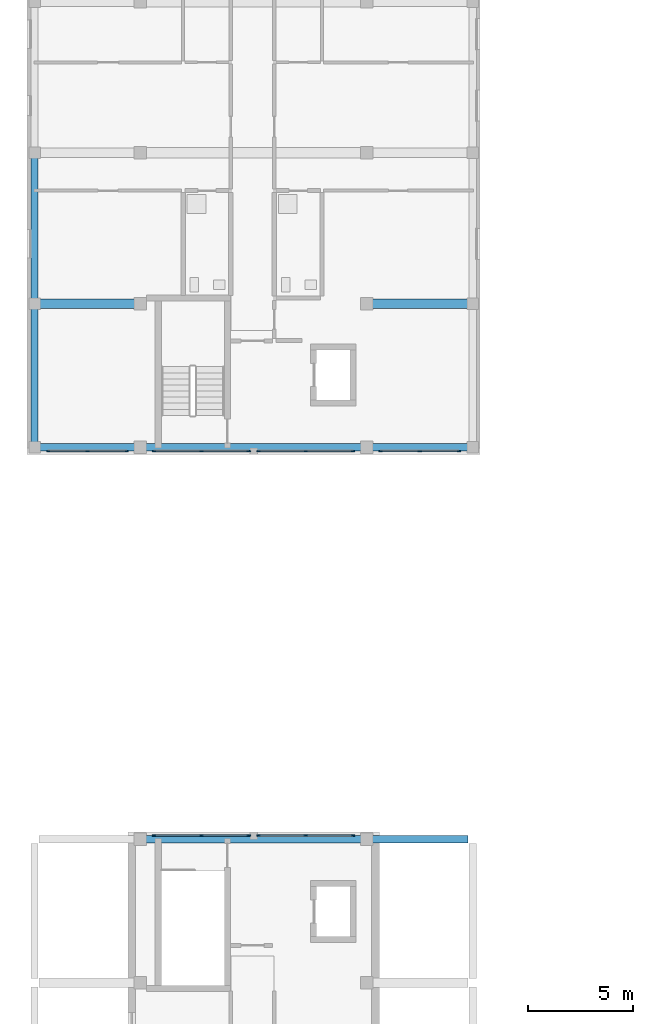
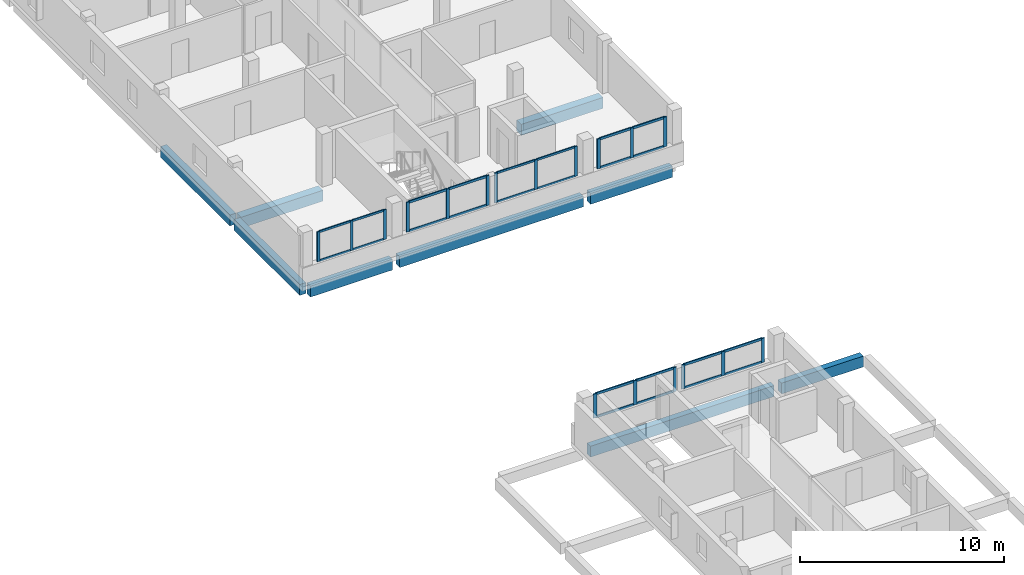
# One storey, part 4 of 34: 42 members, 9 beams, 6 elements without a shape of their own.
"""IFC4 building model written with IfcOpenShell, lengths in metres."""

from ifc_helpers import new_model, si_unit, derived_unit, direction, frame, origin, origin_2d, place, context, subcontext, project, spatial, rectangle, extrude, material, layer, layer_set, material_profile, profile_set, type_object, element, aggregate, save


model = new_model("IFC4")

# Units and contexts
model_context = context("Model", 3, precision=1e-05, world=origin(), true_north=direction((0.0, 1.0)))
body_context = subcontext(model_context, "Body", "Model", "MODEL_VIEW")
ifc_project = project(units=[si_unit("LENGTHUNIT", "METRE"), si_unit("AREAUNIT", "SQUARE_METRE"), si_unit("VOLUMEUNIT", "CUBIC_METRE"), si_unit("PLANEANGLEUNIT", "RADIAN"), si_unit("MASSUNIT", "GRAM", prefix="KILO"), derived_unit("THERMALTRANSMITTANCEUNIT", [(si_unit("MASSUNIT", "GRAM", prefix="KILO"), 1), (si_unit("TIMEUNIT", "SECOND"), -3), (si_unit("THERMODYNAMICTEMPERATUREUNIT", "KELVIN"), -1)])], contexts=[model_context])

# Site, building, storey
site_placement = place(None, origin())
site = spatial("IfcSite", under=ifc_project, at=site_placement, CompositionType="ELEMENT")
building_placement = place(site_placement, origin())
building = spatial("IfcBuilding", under=site, at=building_placement, Name="Ochrekiln Boulevard Commons", CompositionType="ELEMENT")
storey_placement = place(building_placement, frame((0.0, 0.0, 27.824951171875)))
storey = spatial("IfcBuildingStorey", under=building, at=storey_placement, Name="L08", CompositionType="ELEMENT", Elevation=27.824951171875)

# Beams
ifc_material_1 = material(Name="Concrete C35/45", Category="concrete")
ifc_material_profile_1 = material_profile(ifc_material_1, rectangle(XDim=0.449951171875, YDim=0.64990234375, at=origin_2d()), Name="RC-BM-450x650")
ifc_profile_set_1 = profile_set([ifc_material_profile_1], Name="Concrete C35/45")
beam_type_1 = type_object("IfcBeamType", Name="BM-RC-450x650", PredefinedType="BEAM", material=ifc_profile_set_1)
beam_1_placement = place(storey_placement, frame((0.56005859375, 75.60009765625, -0.574951171875), z_axis=(1.0, 0.0, 0.0), x_axis=(0.0, 1.0, 0.0)))
element("IfcBeam", 1, at=beam_1_placement, inside=storey, type_object=beam_type_1, Name="Block A L08 Beam B-4565 X4", PredefinedType="BEAM", context=body_context, shape_type="SweptSolid", body=[
    extrude(rectangle(XDim=0.449951171875, YDim=0.64990234375, at=origin_2d()), origin(), (0.0, 0.0, 1.0), 4.6298828125),
])
beam_2_placement = place(storey_placement, frame((16.409912109375, 75.60009765625, -0.574951171875), z_axis=(1.0, 0.0, 0.0), x_axis=(0.0, 1.0, 0.0)))
element("IfcBeam", 2, at=beam_2_placement, inside=storey, type_object=beam_type_1, Name="Block A L08 Beam B-4565 X5", PredefinedType="BEAM", context=body_context, shape_type="SweptSolid", body=[
    extrude(rectangle(XDim=0.449951171875, YDim=0.64990234375, at=origin_2d()), origin(), (0.0, 0.0, 1.0), 4.630126953125),
])

# Curtain wall, members
ifc_material_2 = material(Name="Bronze-anodized extruded aluminium 6063-T6", Category="aluminium")
ifc_layer = layer(ifc_material_2, 0.172119140625)
ifc_layer_set = layer_set([ifc_layer], Name="Bronze-anodized extruded aluminium 6063-T6")
curtain_wall_type = type_object("IfcCurtainWallType", Name="CW-GABLE-A", PredefinedType="USERDEFINED", material=ifc_layer_set)
curtain_wall_1_placement = place(storey_placement, origin())
curtain_wall_1 = element("IfcCurtainWall", 3, at=curtain_wall_1_placement, inside=storey, type_object=curtain_wall_type, Name="Block A L08 Courtyard Glazed Gable Curtain Wall 1", ObjectType="GLAZED CURTAIN WALL", PredefinedType="USERDEFINED")
ifc_material_profile_2 = material_profile(ifc_material_2, rectangle(XDim=0.06005859375, YDim=0.159912109375, at=origin_2d()), Name="ALU-MUL-60x160")
ifc_profile_set_2 = profile_set([ifc_material_profile_2], Name="Bronze-anodized extruded aluminium 6063-T6")
member_type_1 = type_object("IfcMemberType", Name="CWM-60x160", PredefinedType="MULLION", material=ifc_profile_set_2)
member_1_placement = place(storey_placement, frame((1.0, 68.56005859375, 1.110107421875), z_axis=(0.0, 0.0, 1.0), x_axis=(0.0, 1.0, 0.0)))
member_1 = element("IfcMember", 4, at=member_1_placement, type_object=member_type_1, Name="CW-01 mullion 1", PredefinedType="MULLION", context=body_context, shape_type="SweptSolid", body=[
    extrude(rectangle(XDim=0.06005859375, YDim=0.159912109375, at=origin_2d()), origin(), (0.0, 0.0, 1.0), 1.780029296875),
])
member_2_placement = place(storey_placement, frame((2.875, 68.56005859375, 1.110107421875), z_axis=(0.0, 0.0, 1.0), x_axis=(0.0, 1.0, 0.0)))
member_2 = element("IfcMember", 5, at=member_2_placement, type_object=member_type_1, Name="CW-01 mullion 2", PredefinedType="MULLION", context=body_context, shape_type="SweptSolid", body=[
    extrude(rectangle(XDim=0.06005859375, YDim=0.159912109375, at=origin_2d()), origin(), (0.0, 0.0, 1.0), 1.780029296875),
])
member_3_placement = place(storey_placement, frame((4.75, 68.56005859375, 1.110107421875), z_axis=(0.0, 0.0, 1.0), x_axis=(0.0, 1.0, 0.0)))
member_3 = element("IfcMember", 6, at=member_3_placement, type_object=member_type_1, Name="CW-01 mullion 3", PredefinedType="MULLION", context=body_context, shape_type="SweptSolid", body=[
    extrude(rectangle(XDim=0.06005859375, YDim=0.159912109375, at=origin_2d()), origin(), (0.0, 0.0, 1.0), 1.780029296875),
])

curtain_wall_2_placement = place(storey_placement, origin())
curtain_wall_2 = element("IfcCurtainWall", 7, at=curtain_wall_2_placement, inside=storey, type_object=curtain_wall_type, Name="Block A L08 Courtyard Glazed Gable Curtain Wall 3", ObjectType="GLAZED CURTAIN WALL", PredefinedType="USERDEFINED")
member_4_placement = place(storey_placement, frame((11.030029296875, 68.56005859375, 1.110107421875), z_axis=(0.0, 0.0, 1.0), x_axis=(0.0, 1.0, 0.0)))
member_4 = element("IfcMember", 8, at=member_4_placement, type_object=member_type_1, Name="CW-01 mullion 1", PredefinedType="MULLION", context=body_context, shape_type="SweptSolid", body=[
    extrude(rectangle(XDim=0.06005859375, YDim=0.159912109375, at=origin_2d()), origin(), (0.0, 0.0, 1.0), 1.780029296875),
])
member_5_placement = place(storey_placement, frame((13.2900390625, 68.56005859375, 1.110107421875), z_axis=(0.0, 0.0, 1.0), x_axis=(0.0, 1.0, 0.0)))
member_5 = element("IfcMember", 9, at=member_5_placement, type_object=member_type_1, Name="CW-01 mullion 2", PredefinedType="MULLION", context=body_context, shape_type="SweptSolid", body=[
    extrude(rectangle(XDim=0.06005859375, YDim=0.159912109375, at=origin_2d()), origin(), (0.0, 0.0, 1.0), 1.780029296875),
])
member_6_placement = place(storey_placement, frame((15.550048828125, 68.56005859375, 1.110107421875), z_axis=(0.0, 0.0, 1.0), x_axis=(0.0, 1.0, 0.0)))
member_6 = element("IfcMember", 10, at=member_6_placement, type_object=member_type_1, Name="CW-01 mullion 3", PredefinedType="MULLION", context=body_context, shape_type="SweptSolid", body=[
    extrude(rectangle(XDim=0.06005859375, YDim=0.159912109375, at=origin_2d()), origin(), (0.0, 0.0, 1.0), 1.780029296875),
])

curtain_wall_3_placement = place(storey_placement, origin())
curtain_wall_3 = element("IfcCurtainWall", 11, at=curtain_wall_3_placement, inside=storey, type_object=curtain_wall_type, Name="Block A L08 Courtyard Glazed Gable Curtain Wall 2", ObjectType="GLAZED CURTAIN WALL", PredefinedType="USERDEFINED")
ifc_material_profile_3 = material_profile(ifc_material_2, rectangle(XDim=0.06494140625, YDim=0.179931640625, at=origin_2d()), Name="ALU-MUL-65x180")
ifc_profile_set_3 = profile_set([ifc_material_profile_3], Name="Bronze-anodized extruded aluminium 6063-T6")
member_type_2 = type_object("IfcMemberType", Name="CWM-65x180", PredefinedType="MULLION", material=ifc_profile_set_3)
member_7_placement = place(storey_placement, frame((6.052490234375, 68.56005859375, 1.110107421875), z_axis=(0.0, 0.0, 1.0), x_axis=(0.0, 1.0, 0.0)))
member_7 = element("IfcMember", 12, at=member_7_placement, type_object=member_type_2, Name="CW-01 mullion 1", PredefinedType="MULLION", context=body_context, shape_type="SweptSolid", body=[
    extrude(rectangle(XDim=0.06494140625, YDim=0.179931640625, at=origin_2d()), origin(), (0.0, 0.0, 1.0), 1.780029296875),
])
member_8_placement = place(storey_placement, frame((8.31005859375, 68.56005859375, 1.110107421875), z_axis=(0.0, 0.0, 1.0), x_axis=(0.0, 1.0, 0.0)))
member_8 = element("IfcMember", 13, at=member_8_placement, type_object=member_type_2, Name="CW-01 mullion 2", PredefinedType="MULLION", context=body_context, shape_type="SweptSolid", body=[
    extrude(rectangle(XDim=0.06494140625, YDim=0.179931640625, at=origin_2d()), origin(), (0.0, 0.0, 1.0), 1.780029296875),
])
member_9_placement = place(storey_placement, frame((10.5673828125, 68.56005859375, 1.110107421875), z_axis=(0.0, 0.0, 1.0), x_axis=(0.0, 1.0, 0.0)))
member_9 = element("IfcMember", 14, at=member_9_placement, type_object=member_type_2, Name="CW-01 mullion 3", PredefinedType="MULLION", context=body_context, shape_type="SweptSolid", body=[
    extrude(rectangle(XDim=0.06494140625, YDim=0.179931640625, at=origin_2d()), origin(), (0.0, 0.0, 1.0), 1.780029296875),
])

curtain_wall_4_placement = place(storey_placement, origin())
curtain_wall_4 = element("IfcCurtainWall", 15, at=curtain_wall_4_placement, inside=storey, type_object=curtain_wall_type, Name="Block A L08 Courtyard Glazed Gable Curtain Wall 4", ObjectType="GLAZED CURTAIN WALL", PredefinedType="USERDEFINED")
member_10_placement = place(storey_placement, frame((16.8525390625, 68.56005859375, 1.110107421875), z_axis=(0.0, 0.0, 1.0), x_axis=(0.0, 1.0, 0.0)))
member_10 = element("IfcMember", 16, at=member_10_placement, type_object=member_type_2, Name="CW-01 mullion 1", PredefinedType="MULLION", context=body_context, shape_type="SweptSolid", body=[
    extrude(rectangle(XDim=0.06494140625, YDim=0.179931640625, at=origin_2d()), origin(), (0.0, 0.0, 1.0), 1.780029296875),
])
member_11_placement = place(storey_placement, frame((18.72509765625, 68.56005859375, 1.110107421875), z_axis=(0.0, 0.0, 1.0), x_axis=(0.0, 1.0, 0.0)))
member_11 = element("IfcMember", 17, at=member_11_placement, type_object=member_type_2, Name="CW-01 mullion 2", PredefinedType="MULLION", context=body_context, shape_type="SweptSolid", body=[
    extrude(rectangle(XDim=0.06494140625, YDim=0.179931640625, at=origin_2d()), origin(), (0.0, 0.0, 1.0), 1.780029296875),
])
member_12_placement = place(storey_placement, frame((20.597412109375, 68.56005859375, 1.110107421875), z_axis=(0.0, 0.0, 1.0), x_axis=(0.0, 1.0, 0.0)))
member_12 = element("IfcMember", 18, at=member_12_placement, type_object=member_type_2, Name="CW-01 mullion 3", PredefinedType="MULLION", context=body_context, shape_type="SweptSolid", body=[
    extrude(rectangle(XDim=0.06494140625, YDim=0.179931640625, at=origin_2d()), origin(), (0.0, 0.0, 1.0), 1.780029296875),
])

curtain_wall_5_placement = place(storey_placement, origin())
curtain_wall_5 = element("IfcCurtainWall", 19, at=curtain_wall_5_placement, inside=storey, type_object=curtain_wall_type, Name="Block D L08 Courtyard Glazed Gable Curtain Wall 1", ObjectType="GLAZED CURTAIN WALL", PredefinedType="USERDEFINED")
member_13_placement = place(storey_placement, frame((6.052490234375, 50.217529296875, 1.110107421875), z_axis=(0.0, 0.0, 1.0), x_axis=(0.0, 1.0, 0.0)))
member_13 = element("IfcMember", 20, at=member_13_placement, type_object=member_type_2, Name="CW-01 mullion 1", PredefinedType="MULLION", context=body_context, shape_type="SweptSolid", body=[
    extrude(rectangle(XDim=0.06494140625, YDim=0.179931640625, at=origin_2d()), origin(), (0.0, 0.0, 1.0), 1.43994140625),
])
member_14_placement = place(storey_placement, frame((8.31005859375, 50.217529296875, 1.110107421875), z_axis=(0.0, 0.0, 1.0), x_axis=(0.0, 1.0, 0.0)))
member_14 = element("IfcMember", 21, at=member_14_placement, type_object=member_type_2, Name="CW-01 mullion 2", PredefinedType="MULLION", context=body_context, shape_type="SweptSolid", body=[
    extrude(rectangle(XDim=0.06494140625, YDim=0.179931640625, at=origin_2d()), origin(), (0.0, 0.0, 1.0), 1.43994140625),
])
member_15_placement = place(storey_placement, frame((10.5673828125, 50.217529296875, 1.110107421875), z_axis=(0.0, 0.0, 1.0), x_axis=(0.0, 1.0, 0.0)))
member_15 = element("IfcMember", 22, at=member_15_placement, type_object=member_type_2, Name="CW-01 mullion 3", PredefinedType="MULLION", context=body_context, shape_type="SweptSolid", body=[
    extrude(rectangle(XDim=0.06494140625, YDim=0.179931640625, at=origin_2d()), origin(), (0.0, 0.0, 1.0), 1.43994140625),
])

curtain_wall_6_placement = place(storey_placement, origin())
curtain_wall_6 = element("IfcCurtainWall", 23, at=curtain_wall_6_placement, inside=storey, type_object=curtain_wall_type, Name="Block D L08 Courtyard Glazed Gable Curtain Wall 2", ObjectType="GLAZED CURTAIN WALL", PredefinedType="USERDEFINED")
member_16_placement = place(storey_placement, frame((11.032470703125, 50.217529296875, 1.110107421875), z_axis=(0.0, 0.0, 1.0), x_axis=(0.0, 1.0, 0.0)))
member_16 = element("IfcMember", 24, at=member_16_placement, type_object=member_type_2, Name="CW-01 mullion 1", PredefinedType="MULLION", context=body_context, shape_type="SweptSolid", body=[
    extrude(rectangle(XDim=0.06494140625, YDim=0.179931640625, at=origin_2d()), origin(), (0.0, 0.0, 1.0), 1.43994140625),
])
member_17_placement = place(storey_placement, frame((13.2900390625, 50.217529296875, 1.110107421875), z_axis=(0.0, 0.0, 1.0), x_axis=(0.0, 1.0, 0.0)))
member_17 = element("IfcMember", 25, at=member_17_placement, type_object=member_type_2, Name="CW-01 mullion 2", PredefinedType="MULLION", context=body_context, shape_type="SweptSolid", body=[
    extrude(rectangle(XDim=0.06494140625, YDim=0.179931640625, at=origin_2d()), origin(), (0.0, 0.0, 1.0), 1.43994140625),
])
member_18_placement = place(storey_placement, frame((15.547607421875, 50.217529296875, 1.110107421875), z_axis=(0.0, 0.0, 1.0), x_axis=(0.0, 1.0, 0.0)))
member_18 = element("IfcMember", 26, at=member_18_placement, type_object=member_type_2, Name="CW-01 mullion 3", PredefinedType="MULLION", context=body_context, shape_type="SweptSolid", body=[
    extrude(rectangle(XDim=0.06494140625, YDim=0.179931640625, at=origin_2d()), origin(), (0.0, 0.0, 1.0), 1.43994140625),
])

# Member
ifc_material_profile_4 = material_profile(ifc_material_2, rectangle(XDim=0.06005859375, YDim=0.1201171875, at=origin_2d()), Name="ALU-TRN-60x120")
ifc_profile_set_4 = profile_set([ifc_material_profile_4], Name="Bronze-anodized extruded aluminium 6063-T6")
member_type_3 = type_object("IfcMemberType", Name="CWT-60x120", PredefinedType="USERDEFINED", material=ifc_profile_set_4)
member_19_placement = place(storey_placement, frame((1.030029296875, 68.56005859375, 1.14013671875), z_axis=(1.0, 0.0, 0.0), x_axis=(0.0, 1.0, 0.0)))
member_19 = element("IfcMember", 27, at=member_19_placement, type_object=member_type_3, Name="CW-01 transom 1.1", ObjectType="TRANSOM", PredefinedType="USERDEFINED", context=body_context, shape_type="SweptSolid", body=[
    extrude(rectangle(XDim=0.06005859375, YDim=0.1201171875, at=origin_2d()), origin(), (0.0, 0.0, 1.0), 1.81494140625),
])

member_20_placement = place(storey_placement, frame((1.030029296875, 68.56005859375, 2.860107421875), z_axis=(1.0, 0.0, 0.0), x_axis=(0.0, 1.0, 0.0)))
member_20 = element("IfcMember", 28, at=member_20_placement, type_object=member_type_3, Name="CW-01 transom 1.2", ObjectType="TRANSOM", PredefinedType="USERDEFINED", context=body_context, shape_type="SweptSolid", body=[
    extrude(rectangle(XDim=0.06005859375, YDim=0.1201171875, at=origin_2d()), origin(), (0.0, 0.0, 1.0), 1.81494140625),
])

member_21_placement = place(storey_placement, frame((2.905029296875, 68.56005859375, 1.14013671875), z_axis=(1.0, 0.0, 0.0), x_axis=(0.0, 1.0, 0.0)))
member_21 = element("IfcMember", 29, at=member_21_placement, type_object=member_type_3, Name="CW-01 transom 2.1", ObjectType="TRANSOM", PredefinedType="USERDEFINED", context=body_context, shape_type="SweptSolid", body=[
    extrude(rectangle(XDim=0.06005859375, YDim=0.1201171875, at=origin_2d()), origin(), (0.0, 0.0, 1.0), 1.81494140625),
])

member_22_placement = place(storey_placement, frame((2.905029296875, 68.56005859375, 2.860107421875), z_axis=(1.0, 0.0, 0.0), x_axis=(0.0, 1.0, 0.0)))
member_22 = element("IfcMember", 30, at=member_22_placement, type_object=member_type_3, Name="CW-01 transom 2.2", ObjectType="TRANSOM", PredefinedType="USERDEFINED", context=body_context, shape_type="SweptSolid", body=[
    extrude(rectangle(XDim=0.06005859375, YDim=0.1201171875, at=origin_2d()), origin(), (0.0, 0.0, 1.0), 1.81494140625),
])

aggregate(curtain_wall_1, [member_1, member_2, member_3, member_19, member_20, member_21, member_22])

member_23_placement = place(storey_placement, frame((11.06005859375, 68.56005859375, 1.14013671875), z_axis=(1.0, 0.0, 0.0), x_axis=(0.0, 1.0, 0.0)))
member_23 = element("IfcMember", 31, at=member_23_placement, type_object=member_type_3, Name="CW-01 transom 1.1", ObjectType="TRANSOM", PredefinedType="USERDEFINED", context=body_context, shape_type="SweptSolid", body=[
    extrude(rectangle(XDim=0.06005859375, YDim=0.1201171875, at=origin_2d()), origin(), (0.0, 0.0, 1.0), 2.199951171875),
])

member_24_placement = place(storey_placement, frame((11.06005859375, 68.56005859375, 2.860107421875), z_axis=(1.0, 0.0, 0.0), x_axis=(0.0, 1.0, 0.0)))
member_24 = element("IfcMember", 32, at=member_24_placement, type_object=member_type_3, Name="CW-01 transom 1.2", ObjectType="TRANSOM", PredefinedType="USERDEFINED", context=body_context, shape_type="SweptSolid", body=[
    extrude(rectangle(XDim=0.06005859375, YDim=0.1201171875, at=origin_2d()), origin(), (0.0, 0.0, 1.0), 2.199951171875),
])

member_25_placement = place(storey_placement, frame((13.320068359375, 68.56005859375, 1.14013671875), z_axis=(1.0, 0.0, 0.0), x_axis=(0.0, 1.0, 0.0)))
member_25 = element("IfcMember", 33, at=member_25_placement, type_object=member_type_3, Name="CW-01 transom 2.1", ObjectType="TRANSOM", PredefinedType="USERDEFINED", context=body_context, shape_type="SweptSolid", body=[
    extrude(rectangle(XDim=0.06005859375, YDim=0.1201171875, at=origin_2d()), origin(), (0.0, 0.0, 1.0), 2.199951171875),
])

member_26_placement = place(storey_placement, frame((13.320068359375, 68.56005859375, 2.860107421875), z_axis=(1.0, 0.0, 0.0), x_axis=(0.0, 1.0, 0.0)))
member_26 = element("IfcMember", 34, at=member_26_placement, type_object=member_type_3, Name="CW-01 transom 2.2", ObjectType="TRANSOM", PredefinedType="USERDEFINED", context=body_context, shape_type="SweptSolid", body=[
    extrude(rectangle(XDim=0.06005859375, YDim=0.1201171875, at=origin_2d()), origin(), (0.0, 0.0, 1.0), 2.199951171875),
])

aggregate(curtain_wall_2, [member_4, member_5, member_6, member_23, member_24, member_25, member_26])

ifc_material_profile_5 = material_profile(ifc_material_2, rectangle(XDim=0.06494140625, YDim=0.139892578125, at=origin_2d()), Name="ALU-TRN-65x140")
ifc_profile_set_5 = profile_set([ifc_material_profile_5], Name="Bronze-anodized extruded aluminium 6063-T6")
member_type_4 = type_object("IfcMemberType", Name="CWT-65x140", PredefinedType="USERDEFINED", material=ifc_profile_set_5)
member_27_placement = place(storey_placement, frame((6.0849609375, 68.56005859375, 1.142578125), z_axis=(1.0, 0.0, 0.0), x_axis=(0.0, 1.0, 0.0)))
member_27 = element("IfcMember", 35, at=member_27_placement, type_object=member_type_4, Name="CW-01 transom 1.1", ObjectType="TRANSOM", PredefinedType="USERDEFINED", context=body_context, shape_type="SweptSolid", body=[
    extrude(rectangle(XDim=0.06494140625, YDim=0.139892578125, at=origin_2d()), origin(), (0.0, 0.0, 1.0), 2.192626953125),
])

member_28_placement = place(storey_placement, frame((6.0849609375, 68.56005859375, 2.857666015625), z_axis=(1.0, 0.0, 0.0), x_axis=(0.0, 1.0, 0.0)))
member_28 = element("IfcMember", 36, at=member_28_placement, type_object=member_type_4, Name="CW-01 transom 1.2", ObjectType="TRANSOM", PredefinedType="USERDEFINED", context=body_context, shape_type="SweptSolid", body=[
    extrude(rectangle(XDim=0.06494140625, YDim=0.139892578125, at=origin_2d()), origin(), (0.0, 0.0, 1.0), 2.192626953125),
])

member_29_placement = place(storey_placement, frame((8.342529296875, 68.56005859375, 1.142578125), z_axis=(1.0, 0.0, 0.0), x_axis=(0.0, 1.0, 0.0)))
member_29 = element("IfcMember", 37, at=member_29_placement, type_object=member_type_4, Name="CW-01 transom 2.1", ObjectType="TRANSOM", PredefinedType="USERDEFINED", context=body_context, shape_type="SweptSolid", body=[
    extrude(rectangle(XDim=0.06494140625, YDim=0.139892578125, at=origin_2d()), origin(), (0.0, 0.0, 1.0), 2.1923828125),
])

member_30_placement = place(storey_placement, frame((8.342529296875, 68.56005859375, 2.857666015625), z_axis=(1.0, 0.0, 0.0), x_axis=(0.0, 1.0, 0.0)))
member_30 = element("IfcMember", 38, at=member_30_placement, type_object=member_type_4, Name="CW-01 transom 2.2", ObjectType="TRANSOM", PredefinedType="USERDEFINED", context=body_context, shape_type="SweptSolid", body=[
    extrude(rectangle(XDim=0.06494140625, YDim=0.139892578125, at=origin_2d()), origin(), (0.0, 0.0, 1.0), 2.1923828125),
])

aggregate(curtain_wall_3, [member_7, member_8, member_9, member_27, member_28, member_29, member_30])

member_31_placement = place(storey_placement, frame((16.885009765625, 68.56005859375, 1.142578125), z_axis=(1.0, 0.0, 0.0), x_axis=(0.0, 1.0, 0.0)))
member_31 = element("IfcMember", 39, at=member_31_placement, type_object=member_type_4, Name="CW-01 transom 1.1", ObjectType="TRANSOM", PredefinedType="USERDEFINED", context=body_context, shape_type="SweptSolid", body=[
    extrude(rectangle(XDim=0.06494140625, YDim=0.139892578125, at=origin_2d()), origin(), (0.0, 0.0, 1.0), 1.807373046875),
])

member_32_placement = place(storey_placement, frame((16.885009765625, 68.56005859375, 2.857666015625), z_axis=(1.0, 0.0, 0.0), x_axis=(0.0, 1.0, 0.0)))
member_32 = element("IfcMember", 40, at=member_32_placement, type_object=member_type_4, Name="CW-01 transom 1.2", ObjectType="TRANSOM", PredefinedType="USERDEFINED", context=body_context, shape_type="SweptSolid", body=[
    extrude(rectangle(XDim=0.06494140625, YDim=0.139892578125, at=origin_2d()), origin(), (0.0, 0.0, 1.0), 1.807373046875),
])

member_33_placement = place(storey_placement, frame((18.757568359375, 68.56005859375, 1.142578125), z_axis=(1.0, 0.0, 0.0), x_axis=(0.0, 1.0, 0.0)))
member_33 = element("IfcMember", 41, at=member_33_placement, type_object=member_type_4, Name="CW-01 transom 2.1", ObjectType="TRANSOM", PredefinedType="USERDEFINED", context=body_context, shape_type="SweptSolid", body=[
    extrude(rectangle(XDim=0.06494140625, YDim=0.139892578125, at=origin_2d()), origin(), (0.0, 0.0, 1.0), 1.807373046875),
])

member_34_placement = place(storey_placement, frame((18.757568359375, 68.56005859375, 2.857666015625), z_axis=(1.0, 0.0, 0.0), x_axis=(0.0, 1.0, 0.0)))
member_34 = element("IfcMember", 42, at=member_34_placement, type_object=member_type_4, Name="CW-01 transom 2.2", ObjectType="TRANSOM", PredefinedType="USERDEFINED", context=body_context, shape_type="SweptSolid", body=[
    extrude(rectangle(XDim=0.06494140625, YDim=0.139892578125, at=origin_2d()), origin(), (0.0, 0.0, 1.0), 1.807373046875),
])

aggregate(curtain_wall_4, [member_10, member_11, member_12, member_31, member_32, member_33, member_34])

member_35_placement = place(storey_placement, frame((6.0849609375, 50.217529296875, 1.142578125), z_axis=(1.0, 0.0, 0.0), x_axis=(0.0, 1.0, 0.0)))
member_35 = element("IfcMember", 43, at=member_35_placement, type_object=member_type_4, Name="CW-01 transom 1.1", ObjectType="TRANSOM", PredefinedType="USERDEFINED", context=body_context, shape_type="SweptSolid", body=[
    extrude(rectangle(XDim=0.06494140625, YDim=0.139892578125, at=origin_2d()), origin(), (0.0, 0.0, 1.0), 2.192626953125),
])

member_36_placement = place(storey_placement, frame((6.0849609375, 50.217529296875, 2.517578125), z_axis=(1.0, 0.0, 0.0), x_axis=(0.0, 1.0, 0.0)))
member_36 = element("IfcMember", 44, at=member_36_placement, type_object=member_type_4, Name="CW-01 transom 1.2", ObjectType="TRANSOM", PredefinedType="USERDEFINED", context=body_context, shape_type="SweptSolid", body=[
    extrude(rectangle(XDim=0.06494140625, YDim=0.139892578125, at=origin_2d()), origin(), (0.0, 0.0, 1.0), 2.192626953125),
])

member_37_placement = place(storey_placement, frame((8.342529296875, 50.217529296875, 1.142578125), z_axis=(1.0, 0.0, 0.0), x_axis=(0.0, 1.0, 0.0)))
member_37 = element("IfcMember", 45, at=member_37_placement, type_object=member_type_4, Name="CW-01 transom 2.1", ObjectType="TRANSOM", PredefinedType="USERDEFINED", context=body_context, shape_type="SweptSolid", body=[
    extrude(rectangle(XDim=0.06494140625, YDim=0.139892578125, at=origin_2d()), origin(), (0.0, 0.0, 1.0), 2.1923828125),
])

member_38_placement = place(storey_placement, frame((8.342529296875, 50.217529296875, 2.517578125), z_axis=(1.0, 0.0, 0.0), x_axis=(0.0, 1.0, 0.0)))
member_38 = element("IfcMember", 46, at=member_38_placement, type_object=member_type_4, Name="CW-01 transom 2.2", ObjectType="TRANSOM", PredefinedType="USERDEFINED", context=body_context, shape_type="SweptSolid", body=[
    extrude(rectangle(XDim=0.06494140625, YDim=0.139892578125, at=origin_2d()), origin(), (0.0, 0.0, 1.0), 2.1923828125),
])

aggregate(curtain_wall_5, [member_13, member_14, member_15, member_35, member_36, member_37, member_38])

member_39_placement = place(storey_placement, frame((11.06494140625, 50.217529296875, 1.142578125), z_axis=(1.0, 0.0, 0.0), x_axis=(0.0, 1.0, 0.0)))
member_39 = element("IfcMember", 47, at=member_39_placement, type_object=member_type_4, Name="CW-01 transom 1.1", ObjectType="TRANSOM", PredefinedType="USERDEFINED", context=body_context, shape_type="SweptSolid", body=[
    extrude(rectangle(XDim=0.06494140625, YDim=0.139892578125, at=origin_2d()), origin(), (0.0, 0.0, 1.0), 2.192626953125),
])

member_40_placement = place(storey_placement, frame((11.06494140625, 50.217529296875, 2.517578125), z_axis=(1.0, 0.0, 0.0), x_axis=(0.0, 1.0, 0.0)))
member_40 = element("IfcMember", 48, at=member_40_placement, type_object=member_type_4, Name="CW-01 transom 1.2", ObjectType="TRANSOM", PredefinedType="USERDEFINED", context=body_context, shape_type="SweptSolid", body=[
    extrude(rectangle(XDim=0.06494140625, YDim=0.139892578125, at=origin_2d()), origin(), (0.0, 0.0, 1.0), 2.192626953125),
])

member_41_placement = place(storey_placement, frame((13.322509765625, 50.217529296875, 1.142578125), z_axis=(1.0, 0.0, 0.0), x_axis=(0.0, 1.0, 0.0)))
member_41 = element("IfcMember", 49, at=member_41_placement, type_object=member_type_4, Name="CW-01 transom 2.1", ObjectType="TRANSOM", PredefinedType="USERDEFINED", context=body_context, shape_type="SweptSolid", body=[
    extrude(rectangle(XDim=0.06494140625, YDim=0.139892578125, at=origin_2d()), origin(), (0.0, 0.0, 1.0), 2.1923828125),
])

member_42_placement = place(storey_placement, frame((13.322509765625, 50.217529296875, 2.517578125), z_axis=(1.0, 0.0, 0.0), x_axis=(0.0, 1.0, 0.0)))
member_42 = element("IfcMember", 50, at=member_42_placement, type_object=member_type_4, Name="CW-01 transom 2.2", ObjectType="TRANSOM", PredefinedType="USERDEFINED", context=body_context, shape_type="SweptSolid", body=[
    extrude(rectangle(XDim=0.06494140625, YDim=0.139892578125, at=origin_2d()), origin(), (0.0, 0.0, 1.0), 2.1923828125),
])

aggregate(curtain_wall_6, [member_16, member_17, member_18, member_39, member_40, member_41, member_42])

# Beams
ifc_material_3 = material(Name="Concrete C40/50", Category="concrete")
ifc_material_profile_6 = material_profile(ifc_material_3, rectangle(XDim=0.35009765625, YDim=0.64990234375, at=origin_2d()), Name="RC-SPN-350x650")
ifc_profile_set_6 = profile_set([ifc_material_profile_6], Name="Concrete C40/50")
beam_type_2 = type_object("IfcBeamType", Name="SPN-RC-350x650", PredefinedType="SPANDREL", material=ifc_profile_set_6)
beam_3_placement = place(storey_placement, frame((0.56005859375, 68.75, -0.574951171875), z_axis=(1.0, 0.0, 0.0), x_axis=(0.0, 1.0, 0.0)))
element("IfcBeam", 51, at=beam_3_placement, inside=storey, type_object=beam_type_2, Name="Block A L08 Beam SP-3565 X1", PredefinedType="SPANDREL", context=body_context, shape_type="SweptSolid", body=[
    extrude(rectangle(XDim=0.35009765625, YDim=0.64990234375, at=origin_2d()), origin(), (0.0, 0.0, 1.0), 4.6298828125),
])
beam_4_placement = place(storey_placement, frame((5.610107421875, 68.75, -0.574951171875), z_axis=(1.0, 0.0, 0.0), x_axis=(0.0, 1.0, 0.0)))
element("IfcBeam", 52, at=beam_4_placement, inside=storey, type_object=beam_type_2, Name="Block A L08 Beam SP-3565 X2", PredefinedType="SPANDREL", context=body_context, shape_type="SweptSolid", body=[
    extrude(rectangle(XDim=0.35009765625, YDim=0.64990234375, at=origin_2d()), origin(), (0.0, 0.0, 1.0), 10.3798828125),
])
beam_5_placement = place(storey_placement, frame((16.409912109375, 68.75, -0.574951171875), z_axis=(1.0, 0.0, 0.0), x_axis=(0.0, 1.0, 0.0)))
element("IfcBeam", 53, at=beam_5_placement, inside=storey, type_object=beam_type_2, Name="Block A L08 Beam SP-3565 X3", PredefinedType="SPANDREL", context=body_context, shape_type="SweptSolid", body=[
    extrude(rectangle(XDim=0.35009765625, YDim=0.64990234375, at=origin_2d()), origin(), (0.0, 0.0, 1.0), 4.630126953125),
])
beam_6_placement = place(storey_placement, frame((0.35009765625, 68.9599609375, -0.574951171875), z_axis=(0.0, 1.0, 0.0), x_axis=(-1.0, 0.0, 0.0)))
element("IfcBeam", 54, at=beam_6_placement, inside=storey, type_object=beam_type_2, Name="Block A L08 Beam SP-3565 Y23", PredefinedType="SPANDREL", context=body_context, shape_type="SweptSolid", body=[
    extrude(rectangle(XDim=0.35009765625, YDim=0.64990234375, at=origin_2d()), origin(), (0.0, 0.0, 1.0), 6.429931640625),
])
beam_7_placement = place(storey_placement, frame((0.35009765625, 75.81005859375, -0.574951171875), z_axis=(0.0, 1.0, 0.0), x_axis=(-1.0, 0.0, 0.0)))
element("IfcBeam", 55, at=beam_7_placement, inside=storey, type_object=beam_type_2, Name="Block A L08 Beam SP-3565 Y24", PredefinedType="SPANDREL", context=body_context, shape_type="SweptSolid", body=[
    extrude(rectangle(XDim=0.35009765625, YDim=0.64990234375, at=origin_2d()), origin(), (0.0, 0.0, 1.0), 6.780029296875),
])
beam_8_placement = place(storey_placement, frame((5.610107421875, 50.050048828125, -0.574951171875), z_axis=(1.0, 0.0, 0.0), x_axis=(0.0, 1.0, 0.0)))
element("IfcBeam", 56, at=beam_8_placement, inside=storey, type_object=beam_type_2, Name="Block D L08 Beam SP-3565 X21", PredefinedType="SPANDREL", context=body_context, shape_type="SweptSolid", body=[
    extrude(rectangle(XDim=0.35009765625, YDim=0.64990234375, at=origin_2d()), origin(), (0.0, 0.0, 1.0), 10.3798828125),
])
beam_9_placement = place(storey_placement, frame((16.409912109375, 50.050048828125, -0.574951171875), z_axis=(1.0, 0.0, 0.0), x_axis=(0.0, 1.0, 0.0)))
element("IfcBeam", 57, at=beam_9_placement, inside=storey, type_object=beam_type_2, Name="Block D L08 Beam SP-3565 X22", PredefinedType="SPANDREL", context=body_context, shape_type="SweptSolid", body=[
    extrude(rectangle(XDim=0.35009765625, YDim=0.64990234375, at=origin_2d()), origin(), (0.0, 0.0, 1.0), 4.630126953125),
])

save(model, "model.ifc")
